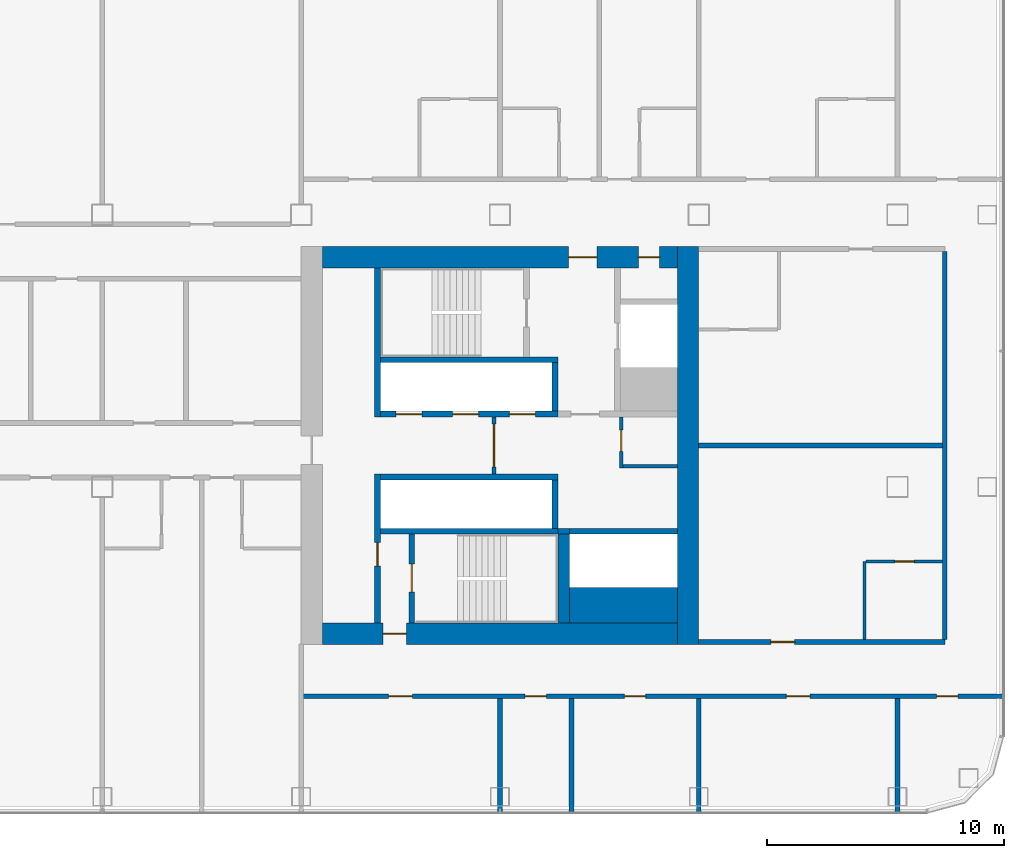
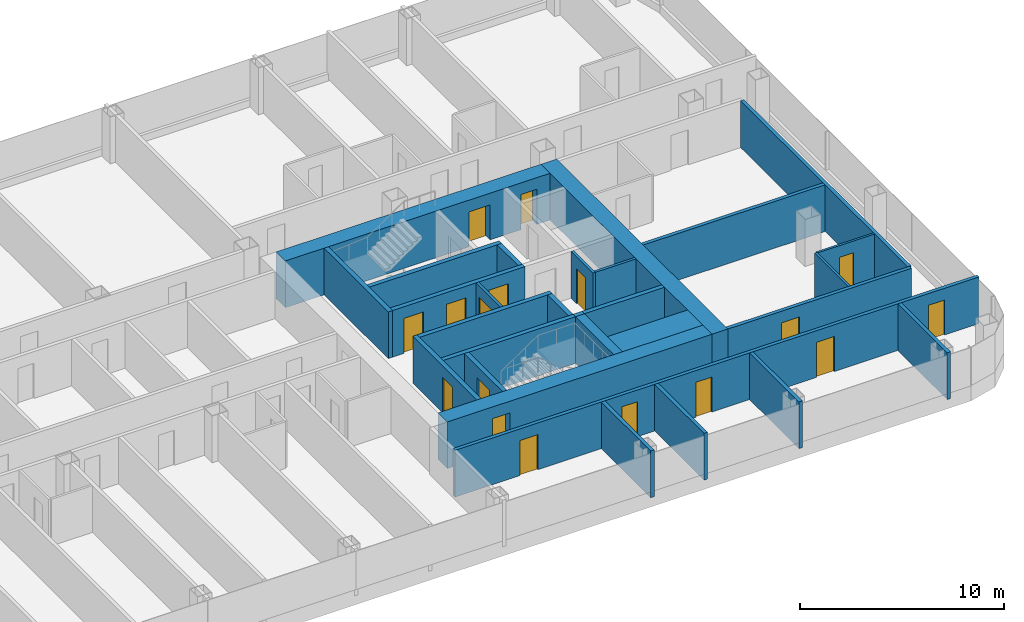
# One storey, part 19 of 29: 29 walls, 17 doors, 17 openings.
"""IFC4 building model written with IfcOpenShell, lengths in metres."""

from ifc_helpers import new_model, si_unit, direction, frame, frame_2d, origin, place, context, subcontext, project, spatial, rectangle, extrude, material, layer, layer_set, type_object, element, fill, save


model = new_model("IFC4")

# Units and contexts
model_context = context("Model", 3, precision=1e-05, world=origin(), true_north=direction((0.0, 1.0)))
body_context = subcontext(model_context, "Body", "Model", "MODEL_VIEW")
ifc_project = project(units=[si_unit("LENGTHUNIT", "METRE"), si_unit("AREAUNIT", "SQUARE_METRE"), si_unit("VOLUMEUNIT", "CUBIC_METRE"), si_unit("PLANEANGLEUNIT", "RADIAN"), si_unit("MASSUNIT", "GRAM", prefix="KILO")], contexts=[model_context])

# Site, building, storey
site_placement = place(None, origin())
site = spatial("IfcSite", under=ifc_project, at=site_placement, CompositionType="ELEMENT")
building_placement = place(site_placement, origin())
building = spatial("IfcBuilding", under=site, at=building_placement, Name="Hakoniwa Tower and Hamabe Station Hall", CompositionType="ELEMENT")
storey_placement = place(building_placement, frame((0.0, 0.0, 113.800048828125)))
storey = spatial("IfcBuildingStorey", under=building, at=storey_placement, Name="L32", CompositionType="ELEMENT", Elevation=113.800048828125)

# Wall, opening, door
ifc_material_1 = material(Name="Gypsum board partition", Category="gypsum")
ifc_layer_1 = layer(ifc_material_1, 0.125)
ifc_layer_set_1 = layer_set([ifc_layer_1], Name="Bathroom Partition 125")
wall_type_1 = type_object("IfcWallType", Name="Bathroom Partition 125", PredefinedType="PARTITIONING", material=ifc_layer_set_1)
wall_1_placement = place(storey_placement, frame((40.66259765625, -4.89990234375, 0.0), z_axis=(0.0, 0.0, 1.0), x_axis=(1.0, 0.0, 0.0)))
wall_1 = element("IfcWall", 1, at=wall_1_placement, inside=storey, type_object=wall_type_1, Name="GW-L32-006", PredefinedType="PARTITIONING", context=body_context, shape_type="SweptSolid", body=[
    extrude(rectangle(XDim=3.2373046875, YDim=0.125, at=frame_2d((1.61865234375, 0.0))), origin(), (0.0, 0.0, 1.0), 2.800048828125),
])
opening_1_placement = place(wall_1_placement, frame((1.237548828125, 0.0, 0.0)))
opening_1 = element("IfcOpeningElement", 2, at=opening_1_placement, cuts=wall_1, Name="Opening GD-G2C2-15", PredefinedType="OPENING", context=body_context, shape_type="SweptSolid", body=[
    extrude(rectangle(XDim=0.800048828125, YDim=2.10009765625, at=frame_2d((0.39990234375, 1.050048828125))), frame((0.0, 0.072509765625, 0.0), z_axis=(0.0, -1.0, 0.0), x_axis=(1.0, 0.0, 0.0)), (0.0, 0.0, 1.0), 0.14501953125),
])
ifc_material_2 = material(Name="Timber door leaf", Category="wood")
door_type_1 = type_object("IfcDoorType", Name="Bathroom Door 800", OperationType="SINGLE_SWING_LEFT", PredefinedType="DOOR", material=ifc_material_2)
door_1_placement = place(opening_1_placement, origin())
door_1 = element("IfcDoor", 3, at=door_1_placement, inside=storey, type_object=door_type_1, Name="Door GD-G2C2-15", OperationType="SINGLE_SWING_LEFT", OverallHeight=2.10009765625, OverallWidth=0.800048828125, PredefinedType="DOOR", context=body_context, shape_type="SweptSolid", body=[
    extrude(rectangle(XDim=0.800048828125, YDim=2.10009765625, at=frame_2d((0.39990234375, 1.050048828125))), frame((0.0, 0.02490234375, 0.0), z_axis=(0.0, -1.0, 0.0), x_axis=(1.0, 0.0, 0.0)), (0.0, 0.0, 1.0), 0.050048828125),
])
fill(opening_1, door_1)

# Wall
wall_2_placement = place(storey_placement, frame((40.60009765625, -8.199951171875, 0.0), z_axis=(0.0, 0.0, 1.0), x_axis=(0.0, 1.0, 0.0)))
element("IfcWall", 4, at=wall_2_placement, inside=storey, type_object=wall_type_1, Name="GW-L32-094", PredefinedType="PARTITIONING", context=body_context, shape_type="SweptSolid", body=[
    extrude(rectangle(XDim=3.300048828125, YDim=0.125, at=frame_2d((1.64990234375, 0.0))), origin(), (0.0, 0.0, 1.0), 2.800048828125),
])

# Wall, opening, door
ifc_material_3 = material(Name="Gypsum board partition")
ifc_layer_2 = layer(ifc_material_3, 0.14990234375)
ifc_layer_set_2 = layer_set([ifc_layer_2], Name="CORE PARTITION 150 EI 60")
wall_type_2 = type_object("IfcWallType", Name="CORE PARTITION 150 EI 60", PredefinedType="PARTITIONING", material=ifc_layer_set_2)
wall_3_placement = place(storey_placement, frame((24.949951171875, -1.199951171875, 0.0), z_axis=(0.0, 0.0, 1.0), x_axis=(0.0, 1.0, 0.0)))
wall_3 = element("IfcWall", 5, at=wall_3_placement, inside=storey, type_object=wall_type_2, Name="Core partition PL0 east", PredefinedType="PARTITIONING", context=body_context, shape_type="SweptSolid", body=[
    extrude(rectangle(XDim=2.39990234375, YDim=0.14990234375, at=frame_2d((1.199951171875, 0.0))), origin(), (0.0, 0.0, 1.0), 2.800048828125),
])
opening_2_placement = place(wall_3_placement, frame((0.300048828125, 0.0, 0.0)))
opening_2 = element("IfcOpeningElement", 6, at=opening_2_placement, cuts=wall_3, Name="Opening CD-E-LP0-18", PredefinedType="OPENING", context=body_context, shape_type="SweptSolid", body=[
    extrude(rectangle(XDim=1.800048828125, YDim=2.10009765625, at=frame_2d((0.89990234375, 1.050048828125))), frame((0.0, 0.0849609375, 0.0), z_axis=(0.0, -1.0, 0.0), x_axis=(1.0, 0.0, 0.0)), (0.0, 0.0, 1.0), 0.169921875),
])
ifc_material_4 = material(Name="Steel fire door", Category="steel")
door_type_2 = type_object("IfcDoorType", Name="CORE DOOR 1800 FD60", OperationType="DOUBLE_DOOR_SINGLE_SWING", PredefinedType="DOOR", material=ifc_material_4)
door_2_placement = place(opening_2_placement, origin())
door_2 = element("IfcDoor", 7, at=door_2_placement, inside=storey, type_object=door_type_2, Name="Lift lobby partition door", OperationType="DOUBLE_DOOR_SINGLE_SWING", OverallHeight=2.10009765625, OverallWidth=1.800048828125, PredefinedType="DOOR", context=body_context, shape_type="SweptSolid", body=[
    extrude(rectangle(XDim=1.800048828125, YDim=2.10009765625, at=frame_2d((0.89990234375, 1.050048828125))), frame((0.0, 0.02490234375, 0.0), z_axis=(0.0, -1.0, 0.0), x_axis=(1.0, 0.0, 0.0)), (0.0, 0.0, 1.0), 0.050048828125),
])
fill(opening_2, door_2)

wall_4_placement = place(storey_placement, frame((30.324951171875, -0.949951171875, 0.0), z_axis=(0.0, 0.0, 1.0), x_axis=(0.0, 1.0, 0.0)))
wall_4 = element("IfcWall", 8, at=wall_4_placement, inside=storey, type_object=wall_type_2, Name="Core partition PW0 east", PredefinedType="PARTITIONING", context=body_context, shape_type="SweptSolid", body=[
    extrude(rectangle(XDim=2.14990234375, YDim=0.14990234375, at=frame_2d((1.074951171875, 0.0))), origin(), (0.0, 0.0, 1.0), 2.800048828125),
])
opening_3_placement = place(wall_4_placement, frame((0.699951171875, 0.0, 0.0)))
opening_3 = element("IfcOpeningElement", 9, at=opening_3_placement, cuts=wall_4, Name="Opening CD-E-RM1-9", PredefinedType="OPENING", context=body_context, shape_type="SweptSolid", body=[
    extrude(rectangle(XDim=0.89990234375, YDim=2.10009765625, at=frame_2d((0.449951171875, 1.050048828125))), frame((0.0, 0.0849609375, 0.0), z_axis=(0.0, -1.0, 0.0), x_axis=(1.0, 0.0, 0.0)), (0.0, 0.0, 1.0), 0.169921875),
])
ifc_material_5 = material(Name="Steel fire door", Category="steel")
door_type_3 = type_object("IfcDoorType", Name="CORE DOOR 900 FD30", OperationType="NOTDEFINED", PredefinedType="DOOR", material=ifc_material_5)
door_3_placement = place(opening_3_placement, origin())
door_3 = element("IfcDoor", 10, at=door_3_placement, inside=storey, type_object=door_type_3, Name="Store room door", OperationType="SINGLE_SWING_RIGHT", OverallHeight=2.10009765625, OverallWidth=0.89990234375, PredefinedType="DOOR", context=body_context, shape_type="SweptSolid", body=[
    extrude(rectangle(XDim=0.89990234375, YDim=2.10009765625, at=frame_2d((0.449951171875, 1.050048828125))), frame((0.0, 0.02490234375, 0.0), z_axis=(0.0, -1.0, 0.0), x_axis=(1.0, 0.0, 0.0)), (0.0, 0.0, 1.0), 0.050048828125),
])
fill(opening_3, door_3)

# Walls
wall_5_placement = place(storey_placement, frame((30.39990234375, -0.875, 0.0), z_axis=(0.0, 0.0, 1.0), x_axis=(1.0, 0.0, 0.0)))
element("IfcWall", 11, at=wall_5_placement, inside=storey, type_object=wall_type_2, Name="Core partition PS east", PredefinedType="PARTITIONING", context=body_context, shape_type="SweptSolid", body=[
    extrude(rectangle(XDim=2.300048828125, YDim=0.14990234375, at=frame_2d((1.14990234375, 0.0))), origin(), (0.0, 0.0, 1.0), 2.800048828125),
])
ifc_material_6 = material(Name="Concrete C72", Category="concrete")
ifc_layer_3 = layer(ifc_material_6, 0.89990234375)
ifc_layer_set_3 = layer_set([ifc_layer_3], Name="CORE WALL 900 C72")
wall_type_3 = type_object("IfcWallType", Name="CORE WALL 900 C72", PredefinedType="SHEAR", material=ifc_layer_set_3)
wall_6_placement = place(storey_placement, frame((33.14990234375, -8.39990234375, 0.0), z_axis=(0.0, 0.0, 1.0), x_axis=(0.0, 1.0, 0.0)))
element("IfcWall", 12, at=wall_6_placement, inside=storey, type_object=wall_type_3, Name="Core wall OUTER east", PredefinedType="SHEAR", context=body_context, shape_type="SweptSolid", body=[
    extrude(rectangle(XDim=16.7998046875, YDim=0.89990234375, at=frame_2d((8.39990234375, 0.0))), origin(), (0.0, 0.0, 1.0), 2.800048828125),
])

# Wall, openings, doors
wall_7_placement = place(storey_placement, frame((17.699951171875, 7.949951171875, 0.0), z_axis=(0.0, 0.0, 1.0), x_axis=(1.0, 0.0, 0.0)))
wall_7 = element("IfcWall", 13, at=wall_7_placement, inside=storey, type_object=wall_type_3, Name="Core wall NORTH east", PredefinedType="SHEAR", context=body_context, shape_type="SweptSolid", body=[
    extrude(rectangle(XDim=15.0, YDim=0.89990234375, at=frame_2d((7.5, 0.0))), origin(), (0.0, 0.0, 1.0), 2.800048828125),
])
opening_4_placement = place(wall_7_placement, frame((10.39990234375, 0.0, 0.0)))
opening_4 = element("IfcOpeningElement", 14, at=opening_4_placement, cuts=wall_7, Name="Opening CD-E-FN1-12", PredefinedType="OPENING", context=body_context, shape_type="SweptSolid", body=[
    extrude(rectangle(XDim=1.199951171875, YDim=2.10009765625, at=frame_2d((0.60009765625, 1.050048828125))), frame((0.0, 0.4599609375, 0.0), z_axis=(0.0, -1.0, 0.0), x_axis=(1.0, 0.0, 0.0)), (0.0, 0.0, 1.0), 0.919921875),
])
opening_5_placement = place(wall_7_placement, frame((13.35009765625, 0.0, 0.0)))
opening_5 = element("IfcOpeningElement", 15, at=opening_5_placement, cuts=wall_7, Name="Opening CD-E-FN2-9", PredefinedType="OPENING", context=body_context, shape_type="SweptSolid", body=[
    extrude(rectangle(XDim=0.89990234375, YDim=2.10009765625, at=frame_2d((0.449951171875, 1.050048828125))), frame((0.0, 0.4599609375, 0.0), z_axis=(0.0, -1.0, 0.0), x_axis=(1.0, 0.0, 0.0)), (0.0, 0.0, 1.0), 0.919921875),
])
ifc_material_7 = material(Name="Steel fire door", Category="steel")
door_type_4 = type_object("IfcDoorType", Name="CORE DOOR 1200 FD60", OperationType="DOUBLE_DOOR_SINGLE_SWING", PredefinedType="DOOR", material=ifc_material_7)
door_4_placement = place(opening_4_placement, origin())
door_4 = element("IfcDoor", 16, at=door_4_placement, inside=storey, type_object=door_type_4, Name="Stair vestibule door to the fire-fighting lobby", OperationType="DOUBLE_DOOR_SINGLE_SWING", OverallHeight=2.10009765625, OverallWidth=1.199951171875, PredefinedType="DOOR", context=body_context, shape_type="SweptSolid", body=[
    extrude(rectangle(XDim=1.199951171875, YDim=2.10009765625, at=frame_2d((0.60009765625, 1.050048828125))), frame((0.0, 0.02490234375, 0.0), z_axis=(0.0, -1.0, 0.0), x_axis=(1.0, 0.0, 0.0)), (0.0, 0.0, 1.0), 0.050048828125),
])
fill(opening_4, door_4)
door_5_placement = place(opening_5_placement, origin())
door_5 = element("IfcDoor", 17, at=door_5_placement, inside=storey, type_object=door_type_3, Name="Riser access door", OperationType="SINGLE_SWING_LEFT", OverallHeight=2.10009765625, OverallWidth=0.89990234375, PredefinedType="DOOR", context=body_context, shape_type="SweptSolid", body=[
    extrude(rectangle(XDim=0.89990234375, YDim=2.10009765625, at=frame_2d((0.449951171875, 1.050048828125))), frame((0.0, 0.02490234375, 0.0), z_axis=(0.0, -1.0, 0.0), x_axis=(1.0, 0.0, 0.0)), (0.0, 0.0, 1.0), 0.050048828125),
])
fill(opening_5, door_5)

# Wall, opening, door
wall_8_placement = place(storey_placement, frame((17.699951171875, -7.949951171875, 0.0), z_axis=(0.0, 0.0, 1.0), x_axis=(1.0, 0.0, 0.0)))
wall_8 = element("IfcWall", 18, at=wall_8_placement, inside=storey, type_object=wall_type_3, Name="Core wall SOUTH east", PredefinedType="SHEAR", context=body_context, shape_type="SweptSolid", body=[
    extrude(rectangle(XDim=15.0, YDim=0.89990234375, at=frame_2d((7.5, 0.0))), origin(), (0.0, 0.0, 1.0), 2.800048828125),
])
opening_6_placement = place(wall_8_placement, frame((2.550048828125, 0.0, 0.0)))
opening_6 = element("IfcOpeningElement", 19, at=opening_6_placement, cuts=wall_8, Name="Opening CD-E-FS3-10", PredefinedType="OPENING", context=body_context, shape_type="SweptSolid", body=[
    extrude(rectangle(XDim=1.0, YDim=2.10009765625, at=frame_2d((0.5, 1.050048828125))), frame((0.0, 0.4599609375, 0.0), z_axis=(0.0, -1.0, 0.0), x_axis=(1.0, 0.0, 0.0)), (0.0, 0.0, 1.0), 0.919921875),
])
ifc_material_8 = material(Name="Steel fire door", Category="steel")
door_type_5 = type_object("IfcDoorType", Name="CORE DOOR 1000 FD60", OperationType="NOTDEFINED", PredefinedType="DOOR", material=ifc_material_8)
door_6_placement = place(opening_6_placement, origin())
door_6 = element("IfcDoor", 20, at=door_6_placement, inside=storey, type_object=door_type_5, Name="Stair vestibule door", OperationType="SINGLE_SWING_RIGHT", OverallHeight=2.10009765625, OverallWidth=1.0, PredefinedType="DOOR", context=body_context, shape_type="SweptSolid", body=[
    extrude(rectangle(XDim=1.0, YDim=2.10009765625, at=frame_2d((0.5, 1.050048828125))), frame((0.0, 0.02490234375, 0.0), z_axis=(0.0, -1.0, 0.0), x_axis=(1.0, 0.0, 0.0)), (0.0, 0.0, 1.0), 0.050048828125),
])
fill(opening_6, door_6)

# Walls
ifc_material_9 = material(Name="Concrete C72", Category="concrete")
ifc_layer_4 = layer(ifc_material_9, 1.5)
ifc_layer_set_4 = layer_set([ifc_layer_4], Name="CORE WEB WALL 1500 C72")
wall_type_4 = type_object("IfcWallType", Name="CORE WEB WALL 1500 C72", PredefinedType="SHEAR", material=ifc_layer_set_4)
wall_9_placement = place(storey_placement, frame((28.14990234375, -6.75, 0.0), z_axis=(0.0, 0.0, 1.0), x_axis=(1.0, 0.0, 0.0)))
element("IfcWall", 21, at=wall_9_placement, inside=storey, type_object=wall_type_4, Name="Core wall SER east", PredefinedType="SHEAR", context=body_context, shape_type="SweptSolid", body=[
    extrude(rectangle(XDim=4.550048828125, YDim=1.5, at=frame_2d((2.27490234375, 0.0))), origin(), (0.0, 0.0, 1.0), 2.800048828125),
])
ifc_material_10 = material(Name="Concrete C72", Category="concrete")
ifc_layer_5 = layer(ifc_material_10, 0.25)
ifc_layer_set_5 = layer_set([ifc_layer_5], Name="CORE WEB WALL 250 C72")
wall_type_5 = type_object("IfcWallType", Name="CORE WEB WALL 250 C72", PredefinedType="SHEAR", material=ifc_layer_set_5)
wall_10_placement = place(storey_placement, frame((20.02490234375, 1.199951171875, 0.0), z_axis=(0.0, 0.0, 1.0), x_axis=(0.0, 1.0, 0.0)))
element("IfcWall", 22, at=wall_10_placement, inside=storey, type_object=wall_type_5, Name="Core wall W1N east", PredefinedType="SHEAR", context=body_context, shape_type="SweptSolid", body=[
    extrude(rectangle(XDim=6.300048828125, YDim=0.25, at=frame_2d((3.14990234375, 0.0))), origin(), (0.0, 0.0, 1.0), 2.800048828125),
])

# Wall, opening, door
wall_11_placement = place(storey_placement, frame((20.02490234375, -7.5, 0.0), z_axis=(0.0, 0.0, 1.0), x_axis=(0.0, 1.0, 0.0)))
wall_11 = element("IfcWall", 23, at=wall_11_placement, inside=storey, type_object=wall_type_5, Name="Core wall W1S east", PredefinedType="SHEAR", context=body_context, shape_type="SweptSolid", body=[
    extrude(rectangle(XDim=6.300048828125, YDim=0.25, at=frame_2d((3.14990234375, 0.0))), origin(), (0.0, 0.0, 1.0), 2.800048828125),
])
opening_7_placement = place(wall_11_placement, frame((2.39990234375, 0.0, 0.0)))
opening_7 = element("IfcOpeningElement", 24, at=opening_7_placement, cuts=wall_11, Name="Opening CD-E-VS-10", PredefinedType="OPENING", context=body_context, shape_type="SweptSolid", body=[
    extrude(rectangle(XDim=1.0, YDim=2.10009765625, at=frame_2d((0.5, 1.050048828125))), frame((0.0, 0.135009765625, 0.0), z_axis=(0.0, -1.0, 0.0), x_axis=(1.0, 0.0, 0.0)), (0.0, 0.0, 1.0), 0.27001953125),
])
door_7_placement = place(opening_7_placement, origin())
door_7 = element("IfcDoor", 25, at=door_7_placement, inside=storey, type_object=door_type_5, Name="Stair vestibule door", OperationType="SINGLE_SWING_RIGHT", OverallHeight=2.10009765625, OverallWidth=1.0, PredefinedType="DOOR", context=body_context, shape_type="SweptSolid", body=[
    extrude(rectangle(XDim=1.0, YDim=2.10009765625, at=frame_2d((0.5, 1.050048828125))), frame((0.0, 0.02490234375, 0.0), z_axis=(0.0, -1.0, 0.0), x_axis=(1.0, 0.0, 0.0)), (0.0, 0.0, 1.0), 0.050048828125),
])
fill(opening_7, door_7)

# Wall, openings, doors
wall_12_placement = place(storey_placement, frame((20.14990234375, 1.324951171875, 0.0), z_axis=(0.0, 0.0, 1.0), x_axis=(1.0, 0.0, 0.0)))
wall_12 = element("IfcWall", 26, at=wall_12_placement, inside=storey, type_object=wall_type_5, Name="Core wall NF east", PredefinedType="SHEAR", context=body_context, shape_type="SweptSolid", body=[
    extrude(rectangle(XDim=7.5, YDim=0.25, at=frame_2d((3.75, 0.0))), origin(), (0.0, 0.0, 1.0), 2.800048828125),
])
opening_8_placement = place(wall_12_placement, frame((0.64990234375, 0.0, 0.0)))
opening_8 = element("IfcOpeningElement", 27, at=opening_8_placement, cuts=wall_12, Name="Opening LD-LR4", PredefinedType="OPENING", context=body_context, shape_type="SweptSolid", body=[
    extrude(rectangle(XDim=1.10009765625, YDim=2.10009765625, at=frame_2d((0.550048828125, 1.050048828125))), frame((0.0, 0.135009765625, 0.0), z_axis=(0.0, -1.0, 0.0), x_axis=(1.0, 0.0, 0.0)), (0.0, 0.0, 1.0), 0.27001953125),
])
opening_9_placement = place(wall_12_placement, frame((3.050048828125, 0.0, 0.0)))
opening_9 = element("IfcOpeningElement", 28, at=opening_9_placement, cuts=wall_12, Name="Opening LD-LR5", PredefinedType="OPENING", context=body_context, shape_type="SweptSolid", body=[
    extrude(rectangle(XDim=1.10009765625, YDim=2.10009765625, at=frame_2d((0.550048828125, 1.050048828125))), frame((0.0, 0.135009765625, 0.0), z_axis=(0.0, -1.0, 0.0), x_axis=(1.0, 0.0, 0.0)), (0.0, 0.0, 1.0), 0.27001953125),
])
opening_10_placement = place(wall_12_placement, frame((5.449951171875, 0.0, 0.0)))
opening_10 = element("IfcOpeningElement", 29, at=opening_10_placement, cuts=wall_12, Name="Opening LD-LR6", PredefinedType="OPENING", context=body_context, shape_type="SweptSolid", body=[
    extrude(rectangle(XDim=1.10009765625, YDim=2.10009765625, at=frame_2d((0.550048828125, 1.050048828125))), frame((0.0, 0.135009765625, 0.0), z_axis=(0.0, -1.0, 0.0), x_axis=(1.0, 0.0, 0.0)), (0.0, 0.0, 1.0), 0.27001953125),
])
ifc_material_11 = material(Name="Stainless steel SUS304", Category="steel")
door_type_6 = type_object("IfcDoorType", Name="LIFT LANDING DOOR 1100 FD60", OperationType="DOUBLE_DOOR_SLIDING", PredefinedType="DOOR", material=ifc_material_11)
door_8_placement = place(opening_8_placement, origin())
door_8 = element("IfcDoor", 30, at=door_8_placement, inside=storey, type_object=door_type_6, Name="Lift landing door LR4 L32", OperationType="DOUBLE_DOOR_SLIDING", OverallHeight=2.10009765625, OverallWidth=1.10009765625, PredefinedType="DOOR", context=body_context, shape_type="SweptSolid", body=[
    extrude(rectangle(XDim=1.10009765625, YDim=2.10009765625, at=frame_2d((0.550048828125, 1.050048828125))), frame((0.0, 0.02490234375, 0.0), z_axis=(0.0, -1.0, 0.0), x_axis=(1.0, 0.0, 0.0)), (0.0, 0.0, 1.0), 0.050048828125),
])
fill(opening_8, door_8)
door_9_placement = place(opening_9_placement, origin())
door_9 = element("IfcDoor", 31, at=door_9_placement, inside=storey, type_object=door_type_6, Name="Lift landing door LR5 L32", OperationType="DOUBLE_DOOR_SLIDING", OverallHeight=2.10009765625, OverallWidth=1.10009765625, PredefinedType="DOOR", context=body_context, shape_type="SweptSolid", body=[
    extrude(rectangle(XDim=1.10009765625, YDim=2.10009765625, at=frame_2d((0.550048828125, 1.050048828125))), frame((0.0, 0.02490234375, 0.0), z_axis=(0.0, -1.0, 0.0), x_axis=(1.0, 0.0, 0.0)), (0.0, 0.0, 1.0), 0.050048828125),
])
fill(opening_9, door_9)
door_10_placement = place(opening_10_placement, origin())
door_10 = element("IfcDoor", 32, at=door_10_placement, inside=storey, type_object=door_type_6, Name="Lift landing door LR6 L32", OperationType="DOUBLE_DOOR_SLIDING", OverallHeight=2.10009765625, OverallWidth=1.10009765625, PredefinedType="DOOR", context=body_context, shape_type="SweptSolid", body=[
    extrude(rectangle(XDim=1.10009765625, YDim=2.10009765625, at=frame_2d((0.550048828125, 1.050048828125))), frame((0.0, 0.02490234375, 0.0), z_axis=(0.0, -1.0, 0.0), x_axis=(1.0, 0.0, 0.0)), (0.0, 0.0, 1.0), 0.050048828125),
])
fill(opening_10, door_10)

# Walls
wall_13_placement = place(storey_placement, frame((27.52490234375, 1.449951171875, 0.0), z_axis=(0.0, 0.0, 1.0), x_axis=(0.0, 1.0, 0.0)))
element("IfcWall", 33, at=wall_13_placement, inside=storey, type_object=wall_type_5, Name="Core wall NE east", PredefinedType="SHEAR", context=body_context, shape_type="SweptSolid", body=[
    extrude(rectangle(XDim=2.050048828125, YDim=0.25, at=frame_2d((1.02490234375, 0.0))), origin(), (0.0, 0.0, 1.0), 2.800048828125),
])
for number, where, z_axis, x_axis, name in (
    (34, (20.14990234375, 3.625, 0.0), (0.0, 0.0, 1.0), (1.0, 0.0, 0.0), "Core wall NR east"),
    (35, (20.14990234375, -1.324951171875, 0.0), (0.0, 0.0, 1.0), (1.0, 0.0, 0.0), "Core wall SF east"),
):
    element("IfcWall", number, at=place(storey_placement, frame(where, z_axis=z_axis, x_axis=x_axis)), inside=storey, type_object=wall_type_5, Name=name, PredefinedType="SHEAR", context=body_context, shape_type="SweptSolid", body=[
        extrude(rectangle(XDim=7.5, YDim=0.25, at=frame_2d((3.75, 0.0))), origin(), (0.0, 0.0, 1.0), 2.800048828125),
    ])
wall_14_placement = place(storey_placement, frame((27.52490234375, -3.5, 0.0), z_axis=(0.0, 0.0, 1.0), x_axis=(0.0, 1.0, 0.0)))
element("IfcWall", 36, at=wall_14_placement, inside=storey, type_object=wall_type_5, Name="Core wall SE east", PredefinedType="SHEAR", context=body_context, shape_type="SweptSolid", body=[
    extrude(rectangle(XDim=2.050048828125, YDim=0.25, at=frame_2d((1.02490234375, 0.0))), origin(), (0.0, 0.0, 1.0), 2.800048828125),
])
wall_15_placement = place(storey_placement, frame((20.14990234375, -3.625, 0.0), z_axis=(0.0, 0.0, 1.0), x_axis=(1.0, 0.0, 0.0)))
element("IfcWall", 37, at=wall_15_placement, inside=storey, type_object=wall_type_5, Name="Core wall SR east", PredefinedType="SHEAR", context=body_context, shape_type="SweptSolid", body=[
    extrude(rectangle(XDim=7.5, YDim=0.25, at=frame_2d((3.75, 0.0))), origin(), (0.0, 0.0, 1.0), 2.800048828125),
])

# Wall, opening, door
wall_16_placement = place(storey_placement, frame((21.47509765625, -7.5, 0.0), z_axis=(0.0, 0.0, 1.0), x_axis=(0.0, 1.0, 0.0)))
wall_16 = element("IfcWall", 38, at=wall_16_placement, inside=storey, type_object=wall_type_5, Name="Core wall VE east", PredefinedType="SHEAR", context=body_context, shape_type="SweptSolid", body=[
    extrude(rectangle(XDim=3.75, YDim=0.25, at=frame_2d((1.875, 0.0))), origin(), (0.0, 0.0, 1.0), 2.800048828125),
])
opening_11_placement = place(wall_16_placement, frame((1.300048828125, 0.0, 0.0)))
opening_11 = element("IfcOpeningElement", 39, at=opening_11_placement, cuts=wall_16, Name="Opening CD-E-SS-12", PredefinedType="OPENING", context=body_context, shape_type="SweptSolid", body=[
    extrude(rectangle(XDim=1.199951171875, YDim=2.10009765625, at=frame_2d((0.60009765625, 1.050048828125))), frame((0.0, 0.135009765625, 0.0), z_axis=(0.0, -1.0, 0.0), x_axis=(1.0, 0.0, 0.0)), (0.0, 0.0, 1.0), 0.27001953125),
])
door_11_placement = place(opening_11_placement, origin())
door_11 = element("IfcDoor", 40, at=door_11_placement, inside=storey, type_object=door_type_4, Name="Escape stair door", OperationType="DOUBLE_DOOR_SINGLE_SWING", OverallHeight=2.10009765625, OverallWidth=1.199951171875, PredefinedType="DOOR", context=body_context, shape_type="SweptSolid", body=[
    extrude(rectangle(XDim=1.199951171875, YDim=2.10009765625, at=frame_2d((0.60009765625, 1.050048828125))), frame((0.0, 0.02490234375, 0.0), z_axis=(0.0, -1.0, 0.0), x_axis=(1.0, 0.0, 0.0)), (0.0, 0.0, 1.0), 0.050048828125),
])
fill(opening_11, door_11)

# Walls
wall_17_placement = place(storey_placement, frame((28.14990234375, -3.625, 0.0), z_axis=(0.0, 0.0, 1.0), x_axis=(1.0, 0.0, 0.0)))
element("IfcWall", 41, at=wall_17_placement, inside=storey, type_object=wall_type_5, Name="Core wall SEF east", PredefinedType="SHEAR", context=body_context, shape_type="SweptSolid", body=[
    extrude(rectangle(XDim=4.550048828125, YDim=0.25, at=frame_2d((2.27490234375, 0.0))), origin(), (0.0, 0.0, 1.0), 2.800048828125),
])
wall_18_placement = place(storey_placement, frame((27.64990234375, -3.625, 0.0), z_axis=(0.0, 0.0, 1.0), x_axis=(1.0, 0.0, 0.0)))
element("IfcWall", 42, at=wall_18_placement, inside=storey, type_object=wall_type_5, Name="Core wall SRK east", PredefinedType="SHEAR", context=body_context, shape_type="SweptSolid", body=[
    extrude(rectangle(XDim=0.5, YDim=0.25, at=frame_2d((0.25, 0.0))), origin(), (0.0, 0.0, 1.0), 2.800048828125),
])
ifc_material_12 = material(Name="Concrete C72", Category="concrete")
ifc_layer_6 = layer(ifc_material_12, 0.5)
ifc_layer_set_6 = layer_set([ifc_layer_6], Name="CORE WEB WALL 500 C72")
wall_type_6 = type_object("IfcWallType", Name="CORE WEB WALL 500 C72", PredefinedType="SHEAR", material=ifc_layer_set_6)
wall_19_placement = place(storey_placement, frame((27.89990234375, -7.5, 0.0), z_axis=(0.0, 0.0, 1.0), x_axis=(0.0, 1.0, 0.0)))
element("IfcWall", 43, at=wall_19_placement, inside=storey, type_object=wall_type_6, Name="Core wall SSE east", PredefinedType="SHEAR", context=body_context, shape_type="SweptSolid", body=[
    extrude(rectangle(XDim=3.75, YDim=0.5, at=frame_2d((1.875, 0.0))), origin(), (0.0, 0.0, 1.0), 2.800048828125),
])

# Wall, openings, doors
ifc_material_13 = material(Name="Fire-rated gypsum board partition", Category="gypsum")
ifc_layer_7 = layer(ifc_material_13, 0.199951171875)
ifc_layer_set_7 = layer_set([ifc_layer_7], Name="Corridor Wall 200")
wall_type_7 = type_object("IfcWallType", Name="Corridor Wall 200", PredefinedType="PARTITIONING", material=ifc_layer_set_7)
wall_20_placement = place(storey_placement, frame((16.800048828125, -10.60009765625, 0.0), z_axis=(0.0, 0.0, 1.0), x_axis=(1.0, 0.0, 0.0)))
wall_20 = element("IfcWall", 44, at=wall_20_placement, inside=storey, type_object=wall_type_7, Name="GW-L32-002", PredefinedType="PARTITIONING", context=body_context, shape_type="SweptSolid", body=[
    extrude(rectangle(XDim=29.699951171875, YDim=0.199951171875, at=frame_2d((14.85009765625, 0.0))), origin(), (0.0, 0.0, 1.0), 2.800048828125),
])
opening_12_placement = place(wall_20_placement, frame((3.699951171875, 0.0, 0.0)))
opening_12 = element("IfcOpeningElement", 45, at=opening_12_placement, cuts=wall_20, Name="Opening GD-G2C2-07", PredefinedType="OPENING", context=body_context, shape_type="SweptSolid", body=[
    extrude(rectangle(XDim=1.0, YDim=2.10009765625, at=frame_2d((0.5, 1.050048828125))), frame((0.0, 0.10986328125, 0.0), z_axis=(0.0, -1.0, 0.0), x_axis=(1.0, 0.0, 0.0)), (0.0, 0.0, 1.0), 0.219970703125),
])
opening_13_placement = place(wall_20_placement, frame((9.4599609375, 0.0, 0.0)))
opening_13 = element("IfcOpeningElement", 46, at=opening_13_placement, cuts=wall_20, Name="Opening GD-G2C2-08", PredefinedType="OPENING", context=body_context, shape_type="SweptSolid", body=[
    extrude(rectangle(XDim=0.89990234375, YDim=2.10009765625, at=frame_2d((0.449951171875, 1.050048828125))), frame((0.0, 0.10986328125, 0.0), z_axis=(0.0, -1.0, 0.0), x_axis=(1.0, 0.0, 0.0)), (0.0, 0.0, 1.0), 0.219970703125),
])
opening_14_placement = place(wall_20_placement, frame((13.659912109375, 0.0, 0.0)))
opening_14 = element("IfcOpeningElement", 47, at=opening_14_placement, cuts=wall_20, Name="Opening GD-G2C2-09", PredefinedType="OPENING", context=body_context, shape_type="SweptSolid", body=[
    extrude(rectangle(XDim=0.89990234375, YDim=2.10009765625, at=frame_2d((0.449951171875, 1.050048828125))), frame((0.0, 0.10986328125, 0.0), z_axis=(0.0, -1.0, 0.0), x_axis=(1.0, 0.0, 0.0)), (0.0, 0.0, 1.0), 0.219970703125),
])
opening_15_placement = place(wall_20_placement, frame((20.5, 0.0, 0.0)))
opening_15 = element("IfcOpeningElement", 48, at=opening_15_placement, cuts=wall_20, Name="Opening GD-G2C2-10", PredefinedType="OPENING", context=body_context, shape_type="SweptSolid", body=[
    extrude(rectangle(XDim=1.0, YDim=2.10009765625, at=frame_2d((0.5, 1.050048828125))), frame((0.0, 0.10986328125, 0.0), z_axis=(0.0, -1.0, 0.0), x_axis=(1.0, 0.0, 0.0)), (0.0, 0.0, 1.0), 0.219970703125),
])
opening_16_placement = place(wall_20_placement, frame((26.85009765625, 0.0, 0.0)))
opening_16 = element("IfcOpeningElement", 49, at=opening_16_placement, cuts=wall_20, Name="Opening GD-G2C2-11", PredefinedType="OPENING", context=body_context, shape_type="SweptSolid", body=[
    extrude(rectangle(XDim=0.89990234375, YDim=2.10009765625, at=frame_2d((0.449951171875, 1.050048828125))), frame((0.0, 0.10986328125, 0.0), z_axis=(0.0, -1.0, 0.0), x_axis=(1.0, 0.0, 0.0)), (0.0, 0.0, 1.0), 0.219970703125),
])
ifc_material_14 = material(Name="Timber door leaf", Category="wood")
door_type_7 = type_object("IfcDoorType", Name="Guest Entrance Door 1000", OperationType="SINGLE_SWING_LEFT", PredefinedType="DOOR", material=ifc_material_14)
door_12_placement = place(opening_12_placement, origin())
door_12 = element("IfcDoor", 50, at=door_12_placement, inside=storey, type_object=door_type_7, Name="Door GD-G2C2-07", OperationType="SINGLE_SWING_RIGHT", OverallHeight=2.10009765625, OverallWidth=1.0, PredefinedType="DOOR", context=body_context, shape_type="SweptSolid", body=[
    extrude(rectangle(XDim=1.0, YDim=2.10009765625, at=frame_2d((0.5, 1.050048828125))), frame((0.0, 0.02490234375, 0.0), z_axis=(0.0, -1.0, 0.0), x_axis=(1.0, 0.0, 0.0)), (0.0, 0.0, 1.0), 0.050048828125),
])
fill(opening_12, door_12)
door_13_placement = place(opening_15_placement, origin())
door_13 = element("IfcDoor", 51, at=door_13_placement, inside=storey, type_object=door_type_7, Name="Door GD-G2C2-10", OperationType="SINGLE_SWING_RIGHT", OverallHeight=2.10009765625, OverallWidth=1.0, PredefinedType="DOOR", context=body_context, shape_type="SweptSolid", body=[
    extrude(rectangle(XDim=1.0, YDim=2.10009765625, at=frame_2d((0.5, 1.050048828125))), frame((0.0, 0.02490234375, 0.0), z_axis=(0.0, -1.0, 0.0), x_axis=(1.0, 0.0, 0.0)), (0.0, 0.0, 1.0), 0.050048828125),
])
fill(opening_15, door_13)
ifc_material_15 = material(Name="Timber door leaf", Category="wood")
door_type_8 = type_object("IfcDoorType", Name="Service Door 900", OperationType="SINGLE_SWING_LEFT", PredefinedType="DOOR", material=ifc_material_15)
door_14_placement = place(opening_13_placement, origin())
door_14 = element("IfcDoor", 52, at=door_14_placement, inside=storey, type_object=door_type_8, Name="Door GD-G2C2-08", OperationType="SINGLE_SWING_LEFT", OverallHeight=2.10009765625, OverallWidth=0.89990234375, PredefinedType="DOOR", context=body_context, shape_type="SweptSolid", body=[
    extrude(rectangle(XDim=0.89990234375, YDim=2.10009765625, at=frame_2d((0.449951171875, 1.050048828125))), frame((0.0, 0.02490234375, 0.0), z_axis=(0.0, -1.0, 0.0), x_axis=(1.0, 0.0, 0.0)), (0.0, 0.0, 1.0), 0.050048828125),
])
fill(opening_13, door_14)
door_15_placement = place(opening_14_placement, origin())
door_15 = element("IfcDoor", 53, at=door_15_placement, inside=storey, type_object=door_type_8, Name="Door GD-G2C2-09", OperationType="SINGLE_SWING_RIGHT", OverallHeight=2.10009765625, OverallWidth=0.89990234375, PredefinedType="DOOR", context=body_context, shape_type="SweptSolid", body=[
    extrude(rectangle(XDim=0.89990234375, YDim=2.10009765625, at=frame_2d((0.449951171875, 1.050048828125))), frame((0.0, 0.02490234375, 0.0), z_axis=(0.0, -1.0, 0.0), x_axis=(1.0, 0.0, 0.0)), (0.0, 0.0, 1.0), 0.050048828125),
])
fill(opening_14, door_15)
door_16_placement = place(opening_16_placement, origin())
door_16 = element("IfcDoor", 54, at=door_16_placement, inside=storey, type_object=door_type_8, Name="Door GD-G2C2-11", OperationType="SINGLE_SWING_LEFT", OverallHeight=2.10009765625, OverallWidth=0.89990234375, PredefinedType="DOOR", context=body_context, shape_type="SweptSolid", body=[
    extrude(rectangle(XDim=0.89990234375, YDim=2.10009765625, at=frame_2d((0.449951171875, 1.050048828125))), frame((0.0, 0.02490234375, 0.0), z_axis=(0.0, -1.0, 0.0), x_axis=(1.0, 0.0, 0.0)), (0.0, 0.0, 1.0), 0.050048828125),
])
fill(opening_16, door_16)

# Wall, opening, door
wall_21_placement = place(storey_placement, frame((33.60009765625, -8.300048828125, 0.0), z_axis=(0.0, 0.0, 1.0), x_axis=(1.0, 0.0, 0.0)))
wall_21 = element("IfcWall", 55, at=wall_21_placement, inside=storey, type_object=wall_type_7, Name="GW-L32-004", PredefinedType="PARTITIONING", context=body_context, shape_type="SweptSolid", body=[
    extrude(rectangle(XDim=10.39990234375, YDim=0.199951171875, at=frame_2d((5.199951171875, 0.0))), origin(), (0.0, 0.0, 1.0), 2.800048828125),
])
opening_17_placement = place(wall_21_placement, frame((3.050048828125, 0.0, 0.0)))
opening_17 = element("IfcOpeningElement", 56, at=opening_17_placement, cuts=wall_21, Name="Opening GD-G2C2-13", PredefinedType="OPENING", context=body_context, shape_type="SweptSolid", body=[
    extrude(rectangle(XDim=1.0, YDim=2.10009765625, at=frame_2d((0.5, 1.050048828125))), frame((0.0, 0.10986328125, 0.0), z_axis=(0.0, -1.0, 0.0), x_axis=(1.0, 0.0, 0.0)), (0.0, 0.0, 1.0), 0.219970703125),
])
door_17_placement = place(opening_17_placement, origin())
door_17 = element("IfcDoor", 57, at=door_17_placement, inside=storey, type_object=door_type_7, Name="Door GD-G2C2-13", OperationType="SINGLE_SWING_RIGHT", OverallHeight=2.10009765625, OverallWidth=1.0, PredefinedType="DOOR", context=body_context, shape_type="SweptSolid", body=[
    extrude(rectangle(XDim=1.0, YDim=2.10009765625, at=frame_2d((0.5, 1.050048828125))), frame((0.0, 0.02490234375, 0.0), z_axis=(0.0, -1.0, 0.0), x_axis=(1.0, 0.0, 0.0)), (0.0, 0.0, 1.0), 0.050048828125),
])
fill(opening_17, door_17)

# Walls
ifc_material_16 = material(Name="Fire-rated gypsum board partition", Category="gypsum")
ifc_layer_8 = layer(ifc_material_16, 0.199951171875)
ifc_layer_set_8 = layer_set([ifc_layer_8], Name="Party Wall 200")
wall_type_8 = type_object("IfcWallType", Name="Party Wall 200", PredefinedType="PARTITIONING", material=ifc_layer_set_8)
wall_22_placement = place(storey_placement, frame((33.60009765625, 0.0, 0.0), z_axis=(0.0, 0.0, 1.0), x_axis=(1.0, 0.0, 0.0)))
element("IfcWall", 58, at=wall_22_placement, inside=storey, type_object=wall_type_8, Name="GW-L32-014", PredefinedType="PARTITIONING", context=body_context, shape_type="SweptSolid", body=[
    extrude(rectangle(XDim=10.2998046875, YDim=0.199951171875, at=frame_2d((5.14990234375, 0.0))), origin(), (0.0, 0.0, 1.0), 2.800048828125),
])
for number, where, z_axis, x_axis, name in (
    (59, (25.199951171875, -15.550048828125, 0.0), (0.0, 0.0, 1.0), (0.0, 1.0, 0.0), "GW-L32-084"),
    (60, (28.219970703125, -15.550048828125, 0.0), (0.0, 0.0, 1.0), (0.0, 1.0, 0.0), "GW-L32-087"),
    (61, (33.60009765625, -15.550048828125, 0.0), (0.0, 0.0, 1.0), (0.0, 1.0, 0.0), "GW-L32-090"),
    (62, (42.0, -15.550048828125, 0.0), (0.0, 0.0, 1.0), (0.0, 1.0, 0.0), "GW-L32-095"),
):
    element("IfcWall", number, at=place(storey_placement, frame(where, z_axis=z_axis, x_axis=x_axis)), inside=storey, type_object=wall_type_8, Name=name, PredefinedType="PARTITIONING", context=body_context, shape_type="SweptSolid", body=[
        extrude(rectangle(XDim=4.85009765625, YDim=0.199951171875, at=frame_2d((2.425048828125, 0.0))), origin(), (0.0, 0.0, 1.0), 2.800048828125),
    ])
wall_23_placement = place(storey_placement, frame((44.0, -8.199951171875, 0.0), z_axis=(0.0, 0.0, 1.0), x_axis=(0.0, 1.0, 0.0)))
element("IfcWall", 63, at=wall_23_placement, inside=storey, type_object=wall_type_8, Name="GW-L32-097", PredefinedType="PARTITIONING", context=body_context, shape_type="SweptSolid", body=[
    extrude(rectangle(XDim=16.39990234375, YDim=0.199951171875, at=frame_2d((8.199951171875, 0.0))), origin(), (0.0, 0.0, 1.0), 2.800048828125),
])

save(model, "model.ifc")
